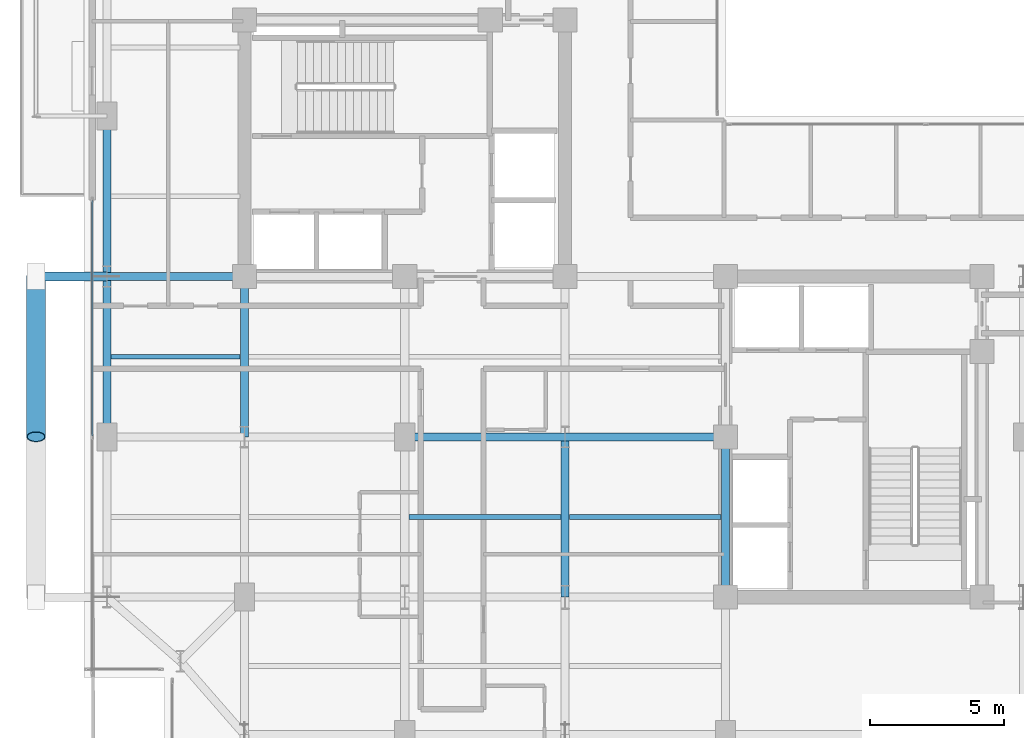
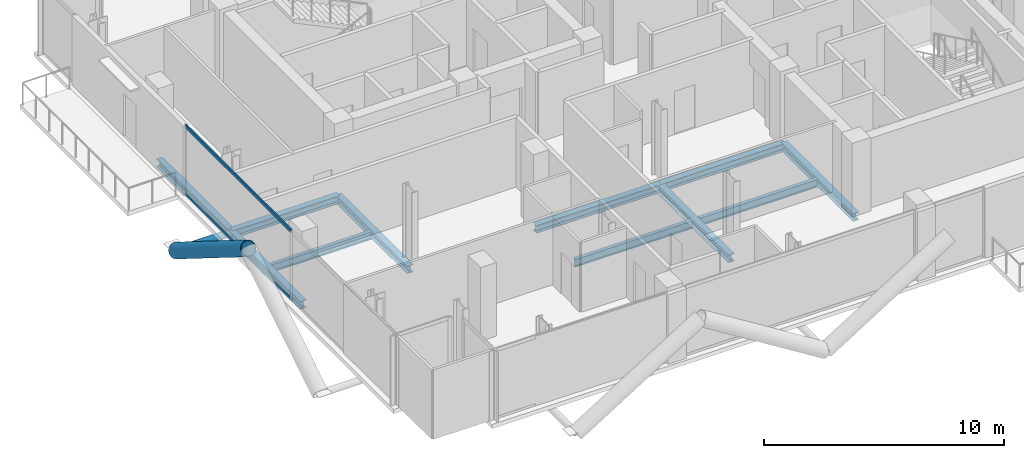
# One storey, part 6 of 25: 11 beams, 4 members, 1 element without a shape of its own.
"""IFC4 building model written with IfcOpenShell, lengths in metres."""

from ifc_helpers import new_model, si_unit, direction, frame, origin, origin_2d, place, context, subcontext, project, spatial, hollow_rectangle, hollow_circle, i_section, extrude, material, layer, layer_set, material_profile, profile_set, type_object, element, aggregate, save


model = new_model("IFC4")

# Units and contexts
model_context = context("Model", 3, precision=1e-05, world=origin(), true_north=direction((0.0, 1.0)))
body_context = subcontext(model_context, "Body", "Model", "MODEL_VIEW")
ifc_project = project(units=[si_unit("LENGTHUNIT", "METRE"), si_unit("AREAUNIT", "SQUARE_METRE"), si_unit("VOLUMEUNIT", "CUBIC_METRE"), si_unit("PLANEANGLEUNIT", "RADIAN"), si_unit("MASSUNIT", "GRAM", prefix="KILO"), si_unit("THERMODYNAMICTEMPERATUREUNIT", "KELVIN"), si_unit("POWERUNIT", "WATT")], contexts=[model_context])

# Site, building, storey
site_placement = place(None, origin())
site = spatial("IfcSite", under=ifc_project, at=site_placement, CompositionType="ELEMENT")
building_placement = place(site_placement, origin())
building = spatial("IfcBuilding", under=site, at=building_placement, Name="Svarakhadi Broadcast Tower", CompositionType="ELEMENT")
storey_placement = place(building_placement, frame((0.0, 0.0, 212.39990234375)))
storey = spatial("IfcBuildingStorey", under=building, at=storey_placement, Name="L52", CompositionType="ELEMENT", Elevation=212.39990234375)

# Beams
ifc_material_1 = material(Name="Steel S355J2 (IS 2062 E350C)", Category="steel")
ifc_material_profile_1 = material_profile(ifc_material_1, i_section(OverallWidth=0.179931640625, OverallDepth=0.39990234375, WebThickness=0.008544921875, FlangeThickness=0.013427734375, FilletRadius=0.02099609375, at=origin_2d()), Name="NPB 400x180x66")
ifc_profile_set_1 = profile_set([ifc_material_profile_1], Name="Steel S355J2 (IS 2062 E350C)")
beam_type_1 = type_object("IfcBeamType", Name="Beam_NPB400", PredefinedType="BEAM", material=ifc_profile_set_1)
beam_1_placement = place(storey_placement, frame((1.010009765625, 15.0, -0.409912109375), z_axis=(1.0, 0.0, 0.0), x_axis=(0.0, 1.0, 0.0)))
element("IfcBeam", 1, at=beam_1_placement, inside=storey, type_object=beam_type_1, Name="L52 Secondary Composite Beam SB002", PredefinedType="BEAM", context=body_context, shape_type="SweptSolid", body=[
    extrude(i_section(OverallWidth=0.179931640625, OverallDepth=0.39990234375, WebThickness=0.008544921875, FlangeThickness=0.013427734375, FilletRadius=0.02099609375, at=origin_2d()), origin(), (0.0, 0.0, 1.0), 4.830078125),
])
for number, where, z_axis, x_axis, name in (
    (2, (12.159912109375, 9.0, -0.409912109375), (1.0, 0.0, 0.0), (0.0, 1.0, 0.0), "L52 Secondary Composite Beam SB010"),
    (3, (18.159912109375, 9.0, -0.409912109375), (1.0, 0.0, 0.0), (0.0, 1.0, 0.0), "L52 Secondary Composite Beam SB014"),
):
    element("IfcBeam", number, at=place(storey_placement, frame(where, z_axis=z_axis, x_axis=x_axis)), inside=storey, type_object=beam_type_1, Name=name, PredefinedType="BEAM", context=body_context, shape_type="SweptSolid", body=[
        extrude(i_section(OverallWidth=0.179931640625, OverallDepth=0.39990234375, WebThickness=0.008544921875, FlangeThickness=0.013427734375, FilletRadius=0.02099609375, at=origin_2d()), origin(), (0.0, 0.0, 1.0), 5.68017578125),
    ])

# Curtain wall, members
ifc_material_2 = material(Name="Anodised Bronze Aluminium AA 6063-T6", Category="aluminium")
ifc_layer = layer(ifc_material_2, 0.18994140625)
ifc_layer_set = layer_set([ifc_layer], Name="Anodised Bronze Aluminium AA 6063-T6")
curtain_wall_type = type_object("IfcCurtainWallType", Name="CW_Sys_04", PredefinedType="NOTDEFINED", material=ifc_layer_set)
curtain_wall_placement = place(storey_placement, origin())
curtain_wall = element("IfcCurtainWall", 4, at=curtain_wall_placement, inside=storey, type_object=curtain_wall_type, Name="L52 West Curtain Wall 02", PredefinedType="NOTDEFINED")
ifc_material_profile_2 = material_profile(ifc_material_2, hollow_rectangle(XDim=0.06494140625, YDim=0.175048828125, WallThickness=0.0048828125, at=origin_2d()), Name="ALU TRANSOM 175x65x5")
ifc_profile_set_2 = profile_set([ifc_material_profile_2], Name="Anodised Bronze Aluminium AA 6063-T6")
member_type_1 = type_object("IfcMemberType", Name="CW_Sys_04_Trn", PredefinedType="USERDEFINED", material=ifc_profile_set_2)
member_1_placement = place(storey_placement, frame((0.300048828125, 12.034912109375, 0.03271484375), z_axis=(0.0, 1.0, 0.0), x_axis=(-1.0, 0.0, 0.0)))
member_1 = element("IfcMember", 5, at=member_1_placement, type_object=member_type_1, Name="CW-04 transom 2.1", ObjectType="TRANSOM", PredefinedType="USERDEFINED", context=body_context, shape_type="SweptSolid", body=[
    extrude(hollow_rectangle(XDim=0.06494140625, YDim=0.175048828125, WallThickness=0.0048828125, at=origin_2d()), origin(), (0.0, 0.0, 1.0), 8.80517578125),
])
member_2_placement = place(storey_placement, frame((0.300048828125, 12.034912109375, 3.507568359375), z_axis=(0.0, 1.0, 0.0), x_axis=(-1.0, 0.0, 0.0)))
member_2 = element("IfcMember", 6, at=member_2_placement, type_object=member_type_1, Name="CW-04 transom 2.2", ObjectType="TRANSOM", PredefinedType="USERDEFINED", context=body_context, shape_type="SweptSolid", body=[
    extrude(hollow_rectangle(XDim=0.06494140625, YDim=0.175048828125, WallThickness=0.0048828125, at=origin_2d()), origin(), (0.0, 0.0, 1.0), 8.80517578125),
])
aggregate(curtain_wall, [member_1, member_2])

# Members
ifc_material_3 = material(Name="Steel S460ML (IS 2062 E450BR)", Category="steel")
ifc_material_profile_3 = material_profile(ifc_material_3, hollow_circle(Radius=0.35546875, WallThickness=0.034912109375, at=origin_2d()), Name="CHS 711x35")
ifc_profile_set_3 = profile_set([ifc_material_profile_3], Name="Steel S460ML (IS 2062 E450BR)")
member_type_2 = type_object("IfcMemberType", Name="Exo_Brace_CHS711", PredefinedType="BRACE", material=ifc_profile_set_3)
member_3_placement = place(storey_placement, frame((-1.800048828125, 18.0, -0.371826171875), z_axis=(0.0, -0.847998304005, 0.529998940003), x_axis=(1.0, 0.0, 0.0)))
element("IfcMember", 7, at=member_3_placement, inside=storey, type_object=member_type_2, Name="L52 Exposed Bronze Exoskeleton Diagonal W05", PredefinedType="BRACE", context=body_context, shape_type="SweptSolid", body=[
    extrude(hollow_circle(Radius=0.35546875, WallThickness=0.034912109375, at=origin_2d()), origin(), (0.0, 0.0, 1.0), 7.075439453125),
])
ifc_material_profile_4 = material_profile(ifc_material_3, hollow_circle(Radius=0.161865234375, WallThickness=0.01611328125, at=origin_2d()), Name="CHS 323.9x16")
ifc_profile_set_4 = profile_set([ifc_material_profile_4], Name="Steel S460ML (IS 2062 E450BR)")
member_type_3 = type_object("IfcMemberType", Name="Exo_Radial_Strut_Z2", PredefinedType="STRUT", material=ifc_profile_set_4)
member_4_placement = place(storey_placement, frame((-1.800048828125, 18.0, -0.371826171875), z_axis=(1.0, 0.0, 0.0), x_axis=(0.0, 1.0, 0.0)))
element("IfcMember", 8, at=member_4_placement, inside=storey, type_object=member_type_3, Name="L52 Exoskeleton Radial Tie Strut W05", PredefinedType="STRUT", context=body_context, shape_type="SweptSolid", body=[
    extrude(hollow_circle(Radius=0.161865234375, WallThickness=0.01611328125, at=origin_2d()), origin(), (0.0, 0.0, 1.0), 2.650146484375),
])

# Beams
ifc_material_profile_5 = material_profile(ifc_material_1, i_section(OverallWidth=0.300048828125, OverallDepth=0.39990234375, WebThickness=0.013427734375, FlangeThickness=0.02392578125, FilletRadius=0.027099609375, at=origin_2d()), Name="WPB 400x300x155")
ifc_profile_set_5 = profile_set([ifc_material_profile_5], Name="Steel S355J2 (IS 2062 E350C)")
beam_type_2 = type_object("IfcBeamType", Name="Girder_WPB400", PredefinedType="USERDEFINED", material=ifc_profile_set_5)
for number, where, z_axis, x_axis, name in (
    (9, (12.0, 12.0, -0.409912109375), (1.0, 0.0, 0.0), (0.0, 1.0, 0.0), "L52 Primary E-W Girder G017"),
    (10, (18.0, 12.0, -0.409912109375), (1.0, 0.0, 0.0), (0.0, 1.0, 0.0), "L52 Primary E-W Girder G018"),
):
    element("IfcBeam", number, at=place(storey_placement, frame(where, z_axis=z_axis, x_axis=x_axis)), inside=storey, type_object=beam_type_2, Name=name, ObjectType="GIRDER", PredefinedType="USERDEFINED", context=body_context, shape_type="SweptSolid", body=[
        extrude(i_section(OverallWidth=0.300048828125, OverallDepth=0.39990234375, WebThickness=0.013427734375, FlangeThickness=0.02392578125, FilletRadius=0.027099609375, at=origin_2d()), origin(), (0.0, 0.0, 1.0), 6.0),
    ])
beam_2_placement = place(storey_placement, frame((0.85009765625, 18.0, -0.409912109375), z_axis=(1.0, 0.0, 0.0), x_axis=(0.0, 1.0, 0.0)))
element("IfcBeam", 11, at=beam_2_placement, inside=storey, type_object=beam_type_2, Name="L52 Primary E-W Girder G020", ObjectType="GIRDER", PredefinedType="USERDEFINED", context=body_context, shape_type="SweptSolid", body=[
    extrude(i_section(OverallWidth=0.300048828125, OverallDepth=0.39990234375, WebThickness=0.013427734375, FlangeThickness=0.02392578125, FilletRadius=0.027099609375, at=origin_2d()), origin(), (0.0, 0.0, 1.0), 5.14990234375),
])
for number, where, z_axis, x_axis, name in (
    (12, (0.85009765625, 12.0, -0.409912109375), (0.0, 1.0, 0.0), (-1.0, 0.0, 0.0), "L52 Primary N-S Girder G034"),
    (13, (0.85009765625, 18.0, -0.409912109375), (0.0, 1.0, 0.0), (-1.0, 0.0, 0.0), "L52 Primary N-S Girder G035"),
    (14, (6.0, 12.0, -0.409912109375), (0.0, 1.0, 0.0), (-1.0, 0.0, 0.0), "L52 Primary N-S Girder G039"),
    (15, (18.0, 6.0, -0.409912109375), (0.0, 1.0, 0.0), (-1.0, 0.0, 0.0), "L52 Primary N-S Girder G047"),
    (16, (24.0, 6.0, -0.409912109375), (0.0, 1.0, 0.0), (-1.0, 0.0, 0.0), "L52 Primary N-S Girder G052"),
):
    element("IfcBeam", number, at=place(storey_placement, frame(where, z_axis=z_axis, x_axis=x_axis)), inside=storey, type_object=beam_type_2, Name=name, ObjectType="GIRDER", PredefinedType="USERDEFINED", context=body_context, shape_type="SweptSolid", body=[
        extrude(i_section(OverallWidth=0.300048828125, OverallDepth=0.39990234375, WebThickness=0.013427734375, FlangeThickness=0.02392578125, FilletRadius=0.027099609375, at=origin_2d()), origin(), (0.0, 0.0, 1.0), 6.0),
    ])

save(model, "model.ifc")
